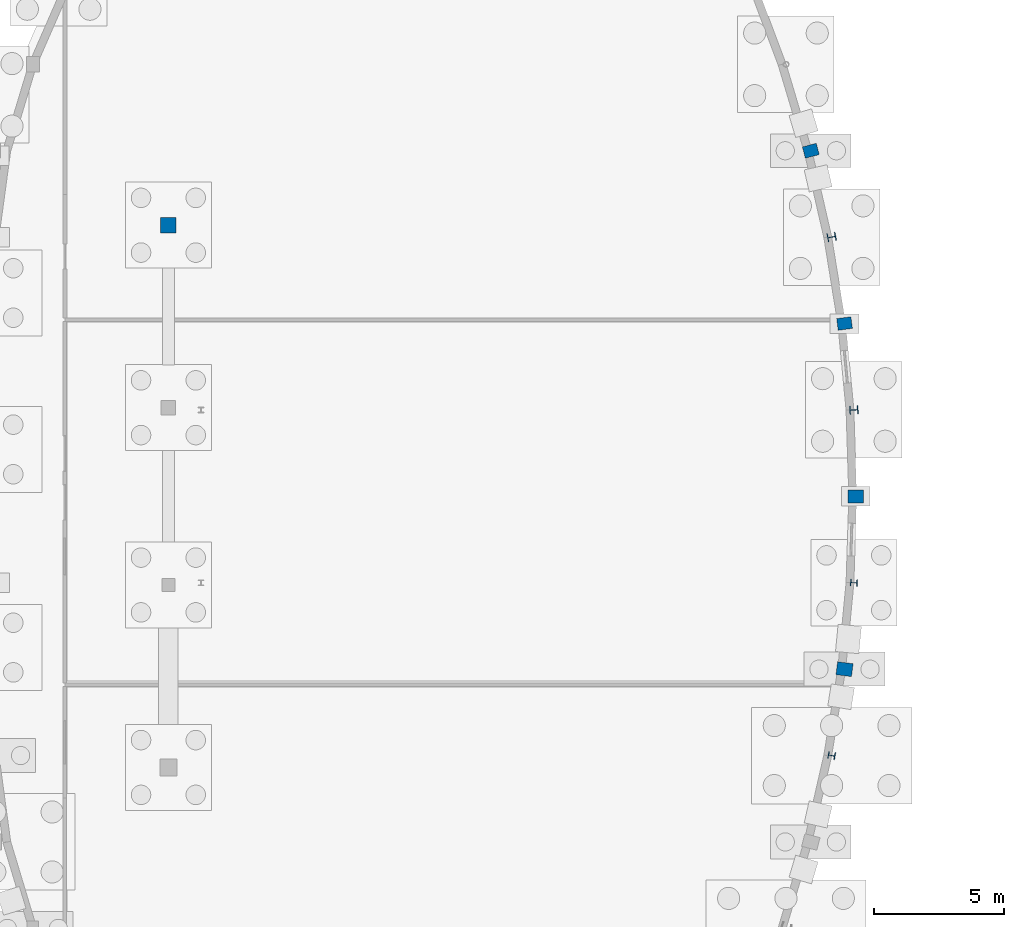
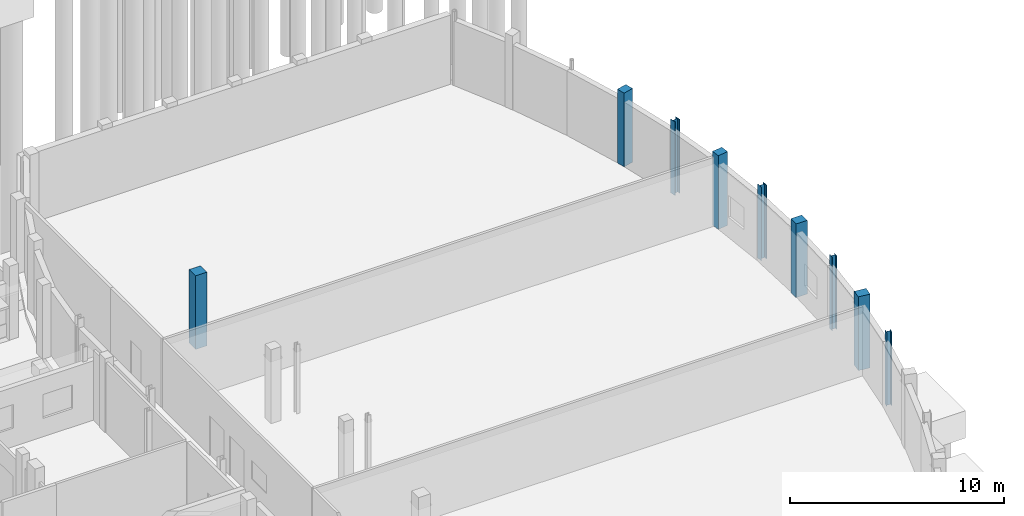
# One storey, part 25 of 93: 9 columns.
"""IFC4 building model written with IfcOpenShell, lengths in metres."""

import ifcopenshell
import ifcopenshell.guid

model = None  # the IFC model being written
_history = None  # IfcOwnerHistory: only IFC2X3 demands one
_inside = {}  # id of a spatial element -> (the spatial element, [elements in it])
_under = {}  # id of a project, library or spatial element -> (it, [spatial elements below it])
_declared = {}  # id of a project -> (the project, [libraries it declares])
_typed = {}  # id of a type object -> (the type object, [elements of that type])
_made_of = {}  # id of a material, layer set ... -> (it, [elements and type objects made of it])


def new_model(schema):
    """Start an empty IFC model of exactly this schema.

    Asked for "IFC4X3", IfcOpenShell would pick the latest addendum, in which some entities
    have other attributes; the version numbers below select the first issue.
    IFC2X3 requires an IfcOwnerHistory on every rooted entity: one is made here for all.
    """
    global model, _history
    if schema == "IFC4X3":
        model = ifcopenshell.file(schema_version=(4, 3, 0, 0))
    else:
        model = ifcopenshell.file(schema=schema)
    _inside.clear()
    _under.clear()
    _declared.clear()
    _typed.clear()
    _made_of.clear()
    _history = None
    if model.schema == "IFC2X3":
        org = make("IfcOrganization", Name="unknown")
        user = make(
            "IfcPersonAndOrganization",
            ThePerson=make("IfcPerson", FamilyName="unknown"),
            TheOrganization=org,
        )
        app = make(
            "IfcApplication",
            ApplicationDeveloper=org,
            Version="unknown",
            ApplicationFullName="unknown",
            ApplicationIdentifier="unknown",
        )
        _history = make(
            "IfcOwnerHistory",
            OwningUser=user,
            OwningApplication=app,
            ChangeAction="ADDED",
            CreationDate=0,
        )
    return model


def make(cls, **values):
    """One entity of the class cls with the attributes given. An attribute that is None is left unset."""
    return model.create_entity(
        cls, **{name: value for name, value in values.items() if value is not None}
    )


def rooted(cls, **values):
    """An entity with a GlobalId (a new one), such as an element, a storey or a relation."""
    return make(cls, GlobalId=ifcopenshell.guid.new(), OwnerHistory=_history, **values)


def si_unit(unit_type, name, prefix=None):
    """IfcSIUnit, for example si_unit("LENGTHUNIT", "METRE", prefix="MILLI")."""
    return make("IfcSIUnit", UnitType=unit_type, Prefix=prefix, Name=name)


def assignment(units):
    """IfcUnitAssignment: the units of a project."""
    return None if units is None else make("IfcUnitAssignment", Units=units)


def point(xyz):
    """IfcCartesianPoint."""
    return None if xyz is None else make("IfcCartesianPoint", Coordinates=xyz)


def direction(xyz):
    """IfcDirection."""
    return None if xyz is None else make("IfcDirection", DirectionRatios=xyz)


def frame(location, z_axis=None, x_axis=None):
    """IfcAxis2Placement3D, a coordinate frame: its origin and axes. An axis left out is left unset."""
    return make(
        "IfcAxis2Placement3D",
        Location=point(location),
        Axis=direction(z_axis),
        RefDirection=direction(x_axis),
    )


def frame_2d(location, x_axis=None):
    """IfcAxis2Placement2D, a coordinate frame in the plane: its origin and x axis."""
    return make(
        "IfcAxis2Placement2D", Location=point(location), RefDirection=direction(x_axis)
    )


def origin():
    """The frame at (0, 0, 0) with its axes left unset."""
    return frame((0.0, 0.0, 0.0))


def origin_2d():
    """The frame at (0, 0) in the plane with its x axis left unset."""
    return frame_2d((0.0, 0.0))


def place(relative_to, where):
    """IfcLocalPlacement: puts the frame where relative to a parent placement (None: the world)."""
    return make(
        "IfcLocalPlacement", PlacementRelTo=relative_to, RelativePlacement=where
    )


def context(
    kind, dimensions, precision=None, world=None, true_north=None, identifier=None
):
    """IfcGeometricRepresentationContext, for example the 3D "Model" context."""
    return make(
        "IfcGeometricRepresentationContext",
        ContextIdentifier=identifier,
        ContextType=kind,
        CoordinateSpaceDimension=dimensions,
        Precision=precision,
        WorldCoordinateSystem=world,
        TrueNorth=true_north,
    )


def subcontext(parent, identifier, kind, view, scale=None):
    """IfcGeometricRepresentationSubContext, for example "Body" below "Model"."""
    return make(
        "IfcGeometricRepresentationSubContext",
        ContextIdentifier=identifier,
        ContextType=kind,
        ParentContext=parent,
        TargetScale=scale,
        TargetView=view,
    )


def project(units=None, contexts=None):
    """IfcProject with its units and contexts."""
    return rooted(
        "IfcProject",
        Name="project",
        RepresentationContexts=contexts,
        UnitsInContext=assignment(units),
    )


def spatial(cls, under=None, at=None, **own):
    """A site, building, storey or space (cls), placed at a placement, below another one or the project."""
    s = rooted(cls, ObjectPlacement=at, **own)
    if under is not None:
        _under.setdefault(under.id(), (under, []))[1].append(s)
    return s


def profile(cls, at=None, kind="AREA", **sizes):
    """A parametric profile (cls). Its sizes go by their IFC names, for example OverallWidth=200.0."""
    return make(cls, ProfileType=kind, Position=at, **sizes)


def rectangle(**sizes):
    """IfcRectangleProfileDef."""
    return profile("IfcRectangleProfileDef", **sizes)


def i_section(**sizes):
    """IfcIShapeProfileDef."""
    return profile("IfcIShapeProfileDef", **sizes)


def extrude(swept, where, along, depth):
    """IfcExtrudedAreaSolid: the profile swept, set in the frame where, extruded along a direction by depth."""
    return make(
        "IfcExtrudedAreaSolid",
        SweptArea=swept,
        Position=where,
        ExtrudedDirection=direction(along),
        Depth=depth,
    )


def shape(context_of_items, identifier, shape_type, items):
    """IfcShapeRepresentation: the items that make up one representation, for example the "Body"."""
    return make(
        "IfcShapeRepresentation",
        ContextOfItems=context_of_items,
        RepresentationIdentifier=identifier,
        RepresentationType=shape_type,
        Items=items,
    )


def material(Name=None, Category=None):
    """IfcMaterial."""
    return make("IfcMaterial", Name=Name, Category=Category)


def material_profile(
    of_material, cross_section, Name=None, Category=None, Priority=None
):
    """IfcMaterialProfile: a cross section and its material."""
    return make(
        "IfcMaterialProfile",
        Name=Name,
        Material=of_material,
        Profile=cross_section,
        Priority=Priority,
        Category=Category,
    )


def profile_set(profiles, Name=None, composite=None):
    """IfcMaterialProfileSet."""
    return make(
        "IfcMaterialProfileSet",
        Name=Name,
        MaterialProfiles=profiles,
        CompositeProfile=composite,
    )


def made_of(thing, what):
    """Note that an element or type object is made of a material, layer set ...; save() writes the relation."""
    if what is not None:
        _made_of.setdefault(what.id(), (what, []))[1].append(thing)
    return thing


def type_object(cls, material=None, **own):
    """A type object (cls), such as IfcWallType, which elements share."""
    return made_of(rooted(cls, **own), material)


def element(
    cls,
    number,
    at=None,
    inside=None,
    cuts=None,
    type_object=None,
    material=None,
    context=None,
    identifier="Body",
    shape_type=None,
    held_by="IfcProductDefinitionShape",
    body=None,
    shapes=None,
    **own,
):
    """One element of the class cls, such as IfcWall. Its Tag is "e" and its number.

    at: its placement. inside: the storey or other place that contains it. cuts: it is an
    opening in that element (IfcRelVoidsElement). A single representation is given by context,
    identifier, shape_type and body (its items); several are given by shapes. held_by: the class
    of the entity that holds the representations. save() writes the other relations.
    """
    e = rooted(cls, Tag="e%d" % number, ObjectPlacement=at, **own)
    if body is not None:
        shapes = [shape(context, identifier, shape_type, body)]
    if shapes is not None:
        e.Representation = make(held_by, Representations=shapes)
    if inside is not None:
        _inside.setdefault(inside.id(), (inside, []))[1].append(e)
    if cuts is not None:
        rooted(
            "IfcRelVoidsElement", RelatingBuildingElement=cuts, RelatedOpeningElement=e
        )
    if type_object is not None:
        _typed.setdefault(type_object.id(), (type_object, []))[1].append(e)
    return made_of(e, material)


def aggregate(whole, parts):
    """IfcRelAggregates: a whole, such as a stair, and the parts it consists of."""
    return rooted("IfcRelAggregates", RelatingObject=whole, RelatedObjects=parts)


def save(model, path):
    """Write the relations noted so far, then the file.

    IfcRelAggregates (storeys below a building ...), IfcRelContainedInSpatialStructure (elements
    in a storey), IfcRelDefinesByType, IfcRelAssociatesMaterial and IfcRelDeclares: one each for
    every whole, place, type object, material and project.
    """
    for whole, parts in _under.values():
        aggregate(whole, parts)
    for where, things in _inside.values():
        rooted(
            "IfcRelContainedInSpatialStructure",
            RelatedElements=things,
            RelatingStructure=where,
        )
    for kind, things in _typed.values():
        rooted("IfcRelDefinesByType", RelatedObjects=things, RelatingType=kind)
    for what, things in _made_of.values():
        rooted("IfcRelAssociatesMaterial", RelatedObjects=things, RelatingMaterial=what)
    for by, libraries in _declared.values():
        rooted("IfcRelDeclares", RelatingContext=by, RelatedDefinitions=libraries)
    model.write(path)


model = new_model("IFC4")

# Units and contexts
model_context = context("Model", 3, precision=1e-05, world=origin(), true_north=direction((0.0, 1.0)))
body_context = subcontext(model_context, "Body", "Model", "MODEL_VIEW")
ifc_project = project(units=[si_unit("LENGTHUNIT", "METRE"), si_unit("AREAUNIT", "SQUARE_METRE"), si_unit("VOLUMEUNIT", "CUBIC_METRE"), si_unit("PLANEANGLEUNIT", "RADIAN"), si_unit("MASSUNIT", "GRAM", prefix="KILO")], contexts=[model_context])

# Site, building, storey
site_placement = place(None, origin())
site = spatial("IfcSite", under=ifc_project, at=site_placement, CompositionType="ELEMENT")
building_placement = place(site_placement, origin())
building = spatial("IfcBuilding", under=site, at=building_placement, Name="Kelanivale Promenade Academy", CompositionType="ELEMENT")
storey_placement = place(building_placement, origin())
storey = spatial("IfcBuildingStorey", under=building, at=storey_placement, Name="L00", CompositionType="ELEMENT", Elevation=0.0)

# Columns
ifc_material_1 = material(Name="Concrete C40/50", Category="concrete")
ifc_material_profile_1 = material_profile(ifc_material_1, rectangle(XDim=0.60009765625, YDim=0.60009765625, at=origin_2d()), Name="RC-COL 600x600")
ifc_profile_set_1 = profile_set([ifc_material_profile_1], Name="Concrete C40/50")
column_type_1 = type_object("IfcColumnType", Name="C-05 RC-COL 600x600", PredefinedType="COLUMN", material=ifc_profile_set_1)
column_placement = place(storey_placement, frame((130.0, 66.60009765625, 0.0), z_axis=(0.0, 0.0, 1.0), x_axis=(1.0, 0.0, 0.0)))
element("IfcColumn", 1, at=column_placement, inside=storey, type_object=column_type_1, Name="Column C-05 at (130.0, 66.6) L00", PredefinedType="COLUMN", context=body_context, shape_type="SweptSolid", body=[
    extrude(rectangle(XDim=0.60009765625, YDim=0.60009765625, at=origin_2d()), origin(), (0.0, 0.0, 1.0), 4.199951171875),
])
ifc_material_profile_2 = material_profile(ifc_material_1, rectangle(XDim=0.449951171875, YDim=0.550048828125, at=origin_2d()), Name="RC-PIL 450x550")
ifc_profile_set_2 = profile_set([ifc_material_profile_2], Name="Concrete C40/50")
column_type_2 = type_object("IfcColumnType", Name="PL-17 RC-PIL 450x550", PredefinedType="PILASTER", material=ifc_profile_set_2)
for number, where, z_axis, x_axis, name in (
    (2, (154.64208984375, 69.45703125, 0.0), (0.0, 0.0, 1.0), (-0.2549394954, 0.966957007154, 0.0), "Column PL-17 at (154.6, 69.5) L00"),
    (3, (155.93603515625, 62.8291015625, 0.0), (0.0, 0.0, 1.0), (-0.12741083733, 0.991850028246, 0.0), "Column PL-17 at (155.9, 62.8) L00"),
):
    element("IfcColumn", number, at=place(storey_placement, frame(where, z_axis=z_axis, x_axis=x_axis)), inside=storey, type_object=column_type_2, Name=name, PredefinedType="PILASTER", context=body_context, shape_type="SweptSolid", body=[
        extrude(rectangle(XDim=0.449951171875, YDim=0.550048828125, at=origin_2d()), origin(), (0.0, 0.0, 1.0), 4.199951171875),
    ])
ifc_material_profile_3 = material_profile(ifc_material_1, rectangle(XDim=0.5, YDim=0.60009765625, at=origin_2d()), Name="RC-PIL 500x600")
ifc_profile_set_3 = profile_set([ifc_material_profile_3], Name="Concrete C40/50")
column_type_3 = type_object("IfcColumnType", Name="PL-18 RC-PIL 500x600", PredefinedType="PILASTER", material=ifc_profile_set_3)
for number, where, z_axis, x_axis, name in (
    (4, (155.93603515625, 49.571044921875, 0.0), (0.0, 0.0, 1.0), (0.12741083733, 0.991850028246, 0.0), "Column PL-18 at (155.9, 49.6) L00"),
    (5, (156.360107421875, 56.199951171875, 0.0), (0.0, 0.0, 1.0), (0.0, 1.0, 0.0), "Column PL-18 at (156.4, 56.2) L00"),
):
    element("IfcColumn", number, at=place(storey_placement, frame(where, z_axis=z_axis, x_axis=x_axis)), inside=storey, type_object=column_type_3, Name=name, PredefinedType="PILASTER", context=body_context, shape_type="SweptSolid", body=[
        extrude(rectangle(XDim=0.5, YDim=0.60009765625, at=origin_2d()), origin(), (0.0, 0.0, 1.0), 4.199951171875),
    ])
ifc_material_2 = material(Name="Steel S355", Category="steel")
ifc_material_profile_4 = material_profile(ifc_material_2, i_section(OverallWidth=0.25634765625, OverallDepth=0.26025390625, WebThickness=0.01025390625, FlangeThickness=0.017333984375, FilletRadius=0.0126953125, at=origin_2d()), Name="UC 254x254x89")
ifc_profile_set_4 = profile_set([ifc_material_profile_4], Name="Steel S355")
column_type_4 = type_object("IfcColumnType", Name="SC-03 UC 254x254x89", PredefinedType="COLUMN", material=ifc_profile_set_4)
for number, where, z_axis, x_axis, name in (
    (6, (155.44091796875, 46.257080078125, 0.0), (0.0, 0.0, 1.0), (0.191151636272, 0.981560518741, 0.0), "Column SC-03 at (155.4, 46.3) L00"),
    (7, (156.2939453125, 52.885986328125, 0.0), (0.0, 0.0, 1.0), (0.063661438132, 0.99797155335, 0.0), "Column SC-03 at (156.3, 52.9) L00"),
):
    element("IfcColumn", number, at=place(storey_placement, frame(where, z_axis=z_axis, x_axis=x_axis)), inside=storey, type_object=column_type_4, Name=name, PredefinedType="COLUMN", context=body_context, shape_type="SweptSolid", body=[
        extrude(i_section(OverallWidth=0.25634765625, OverallDepth=0.26025390625, WebThickness=0.01025390625, FlangeThickness=0.017333984375, FilletRadius=0.0126953125, at=origin_2d()), origin(), (0.0, 0.0, 1.0), 4.199951171875),
    ])
ifc_material_profile_5 = material_profile(ifc_material_2, i_section(OverallWidth=0.307373046875, OverallDepth=0.314453125, WebThickness=0.011962890625, FlangeThickness=0.018798828125, FilletRadius=0.01513671875, at=origin_2d()), Name="UC 305x305x118")
ifc_profile_set_5 = profile_set([ifc_material_profile_5], Name="Steel S355")
column_type_5 = type_object("IfcColumnType", Name="SC-04 UC 305x305x118", PredefinedType="COLUMN", material=ifc_profile_set_5)
for number, where, z_axis, x_axis, name in (
    (8, (155.44091796875, 66.14306640625, 0.0), (0.0, 0.0, 1.0), (-0.191151636272, 0.981560518741, 0.0), "Column SC-04 at (155.4, 66.1) L00"),
    (9, (156.2939453125, 59.513916015625, 0.0), (0.0, 0.0, 1.0), (-0.063661438132, 0.99797155335, 0.0), "Column SC-04 at (156.3, 59.5) L00"),
):
    element("IfcColumn", number, at=place(storey_placement, frame(where, z_axis=z_axis, x_axis=x_axis)), inside=storey, type_object=column_type_5, Name=name, PredefinedType="COLUMN", context=body_context, shape_type="SweptSolid", body=[
        extrude(i_section(OverallWidth=0.307373046875, OverallDepth=0.314453125, WebThickness=0.011962890625, FlangeThickness=0.018798828125, FilletRadius=0.01513671875, at=origin_2d()), origin(), (0.0, 0.0, 1.0), 4.199951171875),
    ])

save(model, "model.ifc")
